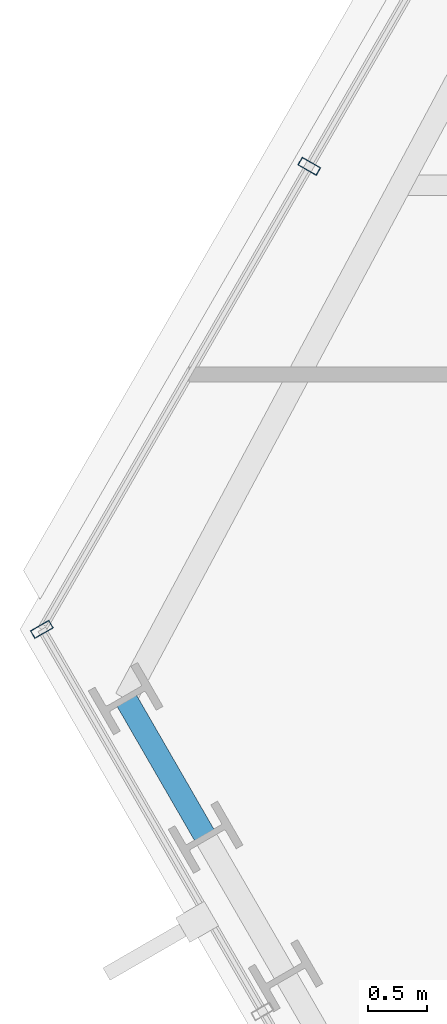
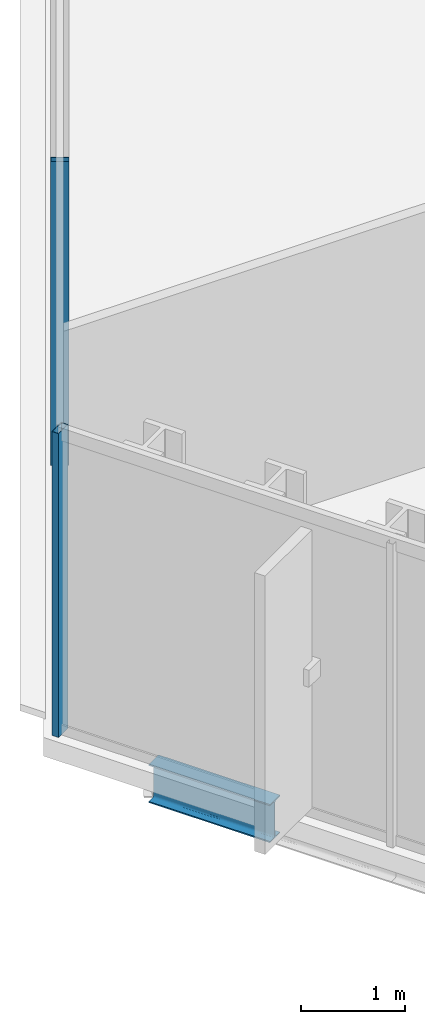
# One storey, part 5 of 33: 2 members, 1 beam, 2 elements without a shape of their own.
"""IFC4 building model written with IfcOpenShell, lengths in metres."""

import ifcopenshell
import ifcopenshell.guid

model = None  # the IFC model being written
_history = None  # IfcOwnerHistory: only IFC2X3 demands one
_inside = {}  # id of a spatial element -> (the spatial element, [elements in it])
_under = {}  # id of a project, library or spatial element -> (it, [spatial elements below it])
_declared = {}  # id of a project -> (the project, [libraries it declares])
_typed = {}  # id of a type object -> (the type object, [elements of that type])
_made_of = {}  # id of a material, layer set ... -> (it, [elements and type objects made of it])


def new_model(schema):
    """Start an empty IFC model of exactly this schema.

    Asked for "IFC4X3", IfcOpenShell would pick the latest addendum, in which some entities
    have other attributes; the version numbers below select the first issue.
    IFC2X3 requires an IfcOwnerHistory on every rooted entity: one is made here for all.
    """
    global model, _history
    if schema == "IFC4X3":
        model = ifcopenshell.file(schema_version=(4, 3, 0, 0))
    else:
        model = ifcopenshell.file(schema=schema)
    _inside.clear()
    _under.clear()
    _declared.clear()
    _typed.clear()
    _made_of.clear()
    _history = None
    if model.schema == "IFC2X3":
        org = make("IfcOrganization", Name="unknown")
        user = make(
            "IfcPersonAndOrganization",
            ThePerson=make("IfcPerson", FamilyName="unknown"),
            TheOrganization=org,
        )
        app = make(
            "IfcApplication",
            ApplicationDeveloper=org,
            Version="unknown",
            ApplicationFullName="unknown",
            ApplicationIdentifier="unknown",
        )
        _history = make(
            "IfcOwnerHistory",
            OwningUser=user,
            OwningApplication=app,
            ChangeAction="ADDED",
            CreationDate=0,
        )
    return model


def make(cls, **values):
    """One entity of the class cls with the attributes given. An attribute that is None is left unset."""
    return model.create_entity(
        cls, **{name: value for name, value in values.items() if value is not None}
    )


def rooted(cls, **values):
    """An entity with a GlobalId (a new one), such as an element, a storey or a relation."""
    return make(cls, GlobalId=ifcopenshell.guid.new(), OwnerHistory=_history, **values)


def si_unit(unit_type, name, prefix=None):
    """IfcSIUnit, for example si_unit("LENGTHUNIT", "METRE", prefix="MILLI")."""
    return make("IfcSIUnit", UnitType=unit_type, Prefix=prefix, Name=name)


def assignment(units):
    """IfcUnitAssignment: the units of a project."""
    return None if units is None else make("IfcUnitAssignment", Units=units)


def point(xyz):
    """IfcCartesianPoint."""
    return None if xyz is None else make("IfcCartesianPoint", Coordinates=xyz)


def direction(xyz):
    """IfcDirection."""
    return None if xyz is None else make("IfcDirection", DirectionRatios=xyz)


def frame(location, z_axis=None, x_axis=None):
    """IfcAxis2Placement3D, a coordinate frame: its origin and axes. An axis left out is left unset."""
    return make(
        "IfcAxis2Placement3D",
        Location=point(location),
        Axis=direction(z_axis),
        RefDirection=direction(x_axis),
    )


def frame_2d(location, x_axis=None):
    """IfcAxis2Placement2D, a coordinate frame in the plane: its origin and x axis."""
    return make(
        "IfcAxis2Placement2D", Location=point(location), RefDirection=direction(x_axis)
    )


def origin():
    """The frame at (0, 0, 0) with its axes left unset."""
    return frame((0.0, 0.0, 0.0))


def origin_2d():
    """The frame at (0, 0) in the plane with its x axis left unset."""
    return frame_2d((0.0, 0.0))


def place(relative_to, where):
    """IfcLocalPlacement: puts the frame where relative to a parent placement (None: the world)."""
    return make(
        "IfcLocalPlacement", PlacementRelTo=relative_to, RelativePlacement=where
    )


def context(
    kind, dimensions, precision=None, world=None, true_north=None, identifier=None
):
    """IfcGeometricRepresentationContext, for example the 3D "Model" context."""
    return make(
        "IfcGeometricRepresentationContext",
        ContextIdentifier=identifier,
        ContextType=kind,
        CoordinateSpaceDimension=dimensions,
        Precision=precision,
        WorldCoordinateSystem=world,
        TrueNorth=true_north,
    )


def subcontext(parent, identifier, kind, view, scale=None):
    """IfcGeometricRepresentationSubContext, for example "Body" below "Model"."""
    return make(
        "IfcGeometricRepresentationSubContext",
        ContextIdentifier=identifier,
        ContextType=kind,
        ParentContext=parent,
        TargetScale=scale,
        TargetView=view,
    )


def project(units=None, contexts=None):
    """IfcProject with its units and contexts."""
    return rooted(
        "IfcProject",
        Name="project",
        RepresentationContexts=contexts,
        UnitsInContext=assignment(units),
    )


def spatial(cls, under=None, at=None, **own):
    """A site, building, storey or space (cls), placed at a placement, below another one or the project."""
    s = rooted(cls, ObjectPlacement=at, **own)
    if under is not None:
        _under.setdefault(under.id(), (under, []))[1].append(s)
    return s


def profile(cls, at=None, kind="AREA", **sizes):
    """A parametric profile (cls). Its sizes go by their IFC names, for example OverallWidth=200.0."""
    return make(cls, ProfileType=kind, Position=at, **sizes)


def hollow_rectangle(**sizes):
    """IfcRectangleHollowProfileDef."""
    return profile("IfcRectangleHollowProfileDef", **sizes)


def i_section(**sizes):
    """IfcIShapeProfileDef."""
    return profile("IfcIShapeProfileDef", **sizes)


def extrude(swept, where, along, depth):
    """IfcExtrudedAreaSolid: the profile swept, set in the frame where, extruded along a direction by depth."""
    return make(
        "IfcExtrudedAreaSolid",
        SweptArea=swept,
        Position=where,
        ExtrudedDirection=direction(along),
        Depth=depth,
    )


def shape(context_of_items, identifier, shape_type, items):
    """IfcShapeRepresentation: the items that make up one representation, for example the "Body"."""
    return make(
        "IfcShapeRepresentation",
        ContextOfItems=context_of_items,
        RepresentationIdentifier=identifier,
        RepresentationType=shape_type,
        Items=items,
    )


def material(Name=None, Category=None):
    """IfcMaterial."""
    return make("IfcMaterial", Name=Name, Category=Category)


def layer(
    of_material, thickness, ventilated=None, Name=None, Category=None, Priority=None
):
    """IfcMaterialLayer: one layer of a wall or slab, of a material (None: an air gap)."""
    return make(
        "IfcMaterialLayer",
        Material=of_material,
        LayerThickness=thickness,
        IsVentilated=ventilated,
        Name=Name,
        Category=Category,
        Priority=Priority,
    )


def layer_set(layers, Name=None):
    """IfcMaterialLayerSet."""
    return make("IfcMaterialLayerSet", MaterialLayers=layers, LayerSetName=Name)


def material_profile(
    of_material, cross_section, Name=None, Category=None, Priority=None
):
    """IfcMaterialProfile: a cross section and its material."""
    return make(
        "IfcMaterialProfile",
        Name=Name,
        Material=of_material,
        Profile=cross_section,
        Priority=Priority,
        Category=Category,
    )


def profile_set(profiles, Name=None, composite=None):
    """IfcMaterialProfileSet."""
    return make(
        "IfcMaterialProfileSet",
        Name=Name,
        MaterialProfiles=profiles,
        CompositeProfile=composite,
    )


def made_of(thing, what):
    """Note that an element or type object is made of a material, layer set ...; save() writes the relation."""
    if what is not None:
        _made_of.setdefault(what.id(), (what, []))[1].append(thing)
    return thing


def type_object(cls, material=None, **own):
    """A type object (cls), such as IfcWallType, which elements share."""
    return made_of(rooted(cls, **own), material)


def element(
    cls,
    number,
    at=None,
    inside=None,
    cuts=None,
    type_object=None,
    material=None,
    context=None,
    identifier="Body",
    shape_type=None,
    held_by="IfcProductDefinitionShape",
    body=None,
    shapes=None,
    **own,
):
    """One element of the class cls, such as IfcWall. Its Tag is "e" and its number.

    at: its placement. inside: the storey or other place that contains it. cuts: it is an
    opening in that element (IfcRelVoidsElement). A single representation is given by context,
    identifier, shape_type and body (its items); several are given by shapes. held_by: the class
    of the entity that holds the representations. save() writes the other relations.
    """
    e = rooted(cls, Tag="e%d" % number, ObjectPlacement=at, **own)
    if body is not None:
        shapes = [shape(context, identifier, shape_type, body)]
    if shapes is not None:
        e.Representation = make(held_by, Representations=shapes)
    if inside is not None:
        _inside.setdefault(inside.id(), (inside, []))[1].append(e)
    if cuts is not None:
        rooted(
            "IfcRelVoidsElement", RelatingBuildingElement=cuts, RelatedOpeningElement=e
        )
    if type_object is not None:
        _typed.setdefault(type_object.id(), (type_object, []))[1].append(e)
    return made_of(e, material)


def aggregate(whole, parts):
    """IfcRelAggregates: a whole, such as a stair, and the parts it consists of."""
    return rooted("IfcRelAggregates", RelatingObject=whole, RelatedObjects=parts)


def save(model, path):
    """Write the relations noted so far, then the file.

    IfcRelAggregates (storeys below a building ...), IfcRelContainedInSpatialStructure (elements
    in a storey), IfcRelDefinesByType, IfcRelAssociatesMaterial and IfcRelDeclares: one each for
    every whole, place, type object, material and project.
    """
    for whole, parts in _under.values():
        aggregate(whole, parts)
    for where, things in _inside.values():
        rooted(
            "IfcRelContainedInSpatialStructure",
            RelatedElements=things,
            RelatingStructure=where,
        )
    for kind, things in _typed.values():
        rooted("IfcRelDefinesByType", RelatedObjects=things, RelatingType=kind)
    for what, things in _made_of.values():
        rooted("IfcRelAssociatesMaterial", RelatedObjects=things, RelatingMaterial=what)
    for by, libraries in _declared.values():
        rooted("IfcRelDeclares", RelatingContext=by, RelatedDefinitions=libraries)
    model.write(path)


model = new_model("IFC4")

# Units and contexts
model_context = context("Model", 3, precision=1e-05, world=origin(), true_north=direction((0.0, 1.0)))
body_context = subcontext(model_context, "Body", "Model", "MODEL_VIEW")
ifc_project = project(units=[si_unit("LENGTHUNIT", "METRE"), si_unit("AREAUNIT", "SQUARE_METRE"), si_unit("VOLUMEUNIT", "CUBIC_METRE"), si_unit("PLANEANGLEUNIT", "RADIAN"), si_unit("MASSUNIT", "GRAM", prefix="KILO")], contexts=[model_context])

# Site, building, storey
site_placement = place(None, origin())
site = spatial("IfcSite", under=ifc_project, at=site_placement, CompositionType="ELEMENT")
building_placement = place(site_placement, origin())
building = spatial("IfcBuilding", under=site, at=building_placement, Name="Ndaravel Arena Tower", CompositionType="ELEMENT")
storey_placement = place(building_placement, frame((0.0, 0.0, 149.800048828125)))
storey = spatial("IfcBuildingStorey", under=building, at=storey_placement, Name="L35", CompositionType="ELEMENT", Elevation=149.800048828125)

# Beam
ifc_material_1 = material(Name="Steel S355", Category="steel")
ifc_material_profile_1 = material_profile(ifc_material_1, i_section(OverallWidth=0.18994140625, OverallDepth=0.449951171875, WebThickness=0.009521484375, FlangeThickness=0.0146484375, FilletRadius=0.02099609375, at=origin_2d()), Name="IPE 450")
ifc_profile_set_1 = profile_set([ifc_material_profile_1], Name="Steel S355")
beam_type = type_object("IfcBeamType", Name="BM-SPAN-IPE450", PredefinedType="SPANDREL", material=ifc_profile_set_1)
beam_placement = place(storey_placement, frame((19.039794921875, 14.260009765625, -0.445068359375), z_axis=(0.49994655361, -0.866056258873, 0.0), x_axis=(0.866056258873, 0.49994655361, 0.0)))
element("IfcBeam", 1, at=beam_placement, inside=storey, type_object=beam_type, Name="L35 Perimeter Spandrel Beam SP-20", PredefinedType="SPANDREL", context=body_context, shape_type="SweptSolid", body=[
    extrude(i_section(OverallWidth=0.18994140625, OverallDepth=0.449951171875, WebThickness=0.009521484375, FlangeThickness=0.0146484375, FilletRadius=0.02099609375, at=origin_2d()), origin(), (0.0, 0.0, 1.0), 1.351806640625),
])

# Curtain wall, member
ifc_material_2 = material(Name="Aluminium", Category="aluminium")
ifc_layer_1 = layer(ifc_material_2, 0.179931640625)
ifc_layer_set_1 = layer_set([ifc_layer_1], Name="Aluminium")
curtain_wall_type_1 = type_object("IfcCurtainWallType", Name="CW-SYS-03", PredefinedType="NOTDEFINED", material=ifc_layer_set_1)
curtain_wall_1_placement = place(storey_placement, origin())
curtain_wall_1 = element("IfcCurtainWall", 2, at=curtain_wall_1_placement, inside=storey, type_object=curtain_wall_type_1, Name="L35 Faceted Crystal Curtain Wall CW-L35-E05", PredefinedType="NOTDEFINED")
ifc_material_3 = material(Name="Aluminium", Category="aluminium")
ifc_material_profile_2 = material_profile(ifc_material_3, hollow_rectangle(XDim=0.074951171875, YDim=0.179931640625, WallThickness=0.00390625, at=origin_2d()), Name="CW MULLION 75x180x4")
ifc_profile_set_2 = profile_set([ifc_material_profile_2], Name="Aluminium")
member_type = type_object("IfcMemberType", Name="MEM-CW-MUL180", PredefinedType="MULLION", material=ifc_profile_set_2)
member_1_placement = place(storey_placement, frame((20.591796875, 18.7587890625, 0.0), z_axis=(0.0, 0.0, 1.0), x_axis=(-0.5, -0.866025403784, 0.0)))
member_1 = element("IfcMember", 3, at=member_1_placement, type_object=member_type, Name="CW-L35-E05 Mullion 07", PredefinedType="MULLION", context=body_context, shape_type="SweptSolid", body=[
    extrude(hollow_rectangle(XDim=0.074951171875, YDim=0.179931640625, WallThickness=0.00390625, at=origin_2d()), origin(), (0.0, 0.0, 1.0), 3.579833984375),
])
aggregate(curtain_wall_1, [member_1])

ifc_material_4 = material(Name="Aluminium", Category="aluminium")
ifc_layer_2 = layer(ifc_material_4, 0.179931640625)
ifc_layer_set_2 = layer_set([ifc_layer_2], Name="Aluminium")
curtain_wall_type_2 = type_object("IfcCurtainWallType", Name="CW-SYS-02", PredefinedType="NOTDEFINED", material=ifc_layer_set_2)
curtain_wall_2_placement = place(storey_placement, origin())
curtain_wall_2 = element("IfcCurtainWall", 4, at=curtain_wall_2_placement, inside=storey, type_object=curtain_wall_type_2, Name="L35 Faceted Crystal Curtain Wall CW-L35-E06", PredefinedType="NOTDEFINED")
member_2_placement = place(storey_placement, frame((18.332275390625, 14.845458984375, 0.0), z_axis=(0.0, 0.0, 1.0), x_axis=(0.5, -0.866025403784, 0.0)))
member_2 = element("IfcMember", 5, at=member_2_placement, type_object=member_type, Name="CW-L35-E06 Mullion 00", PredefinedType="MULLION", context=body_context, shape_type="SweptSolid", body=[
    extrude(hollow_rectangle(XDim=0.074951171875, YDim=0.179931640625, WallThickness=0.00390625, at=origin_2d()), origin(), (0.0, 0.0, 1.0), 3.579833984375),
])
aggregate(curtain_wall_2, [member_2])

save(model, "model.ifc")
